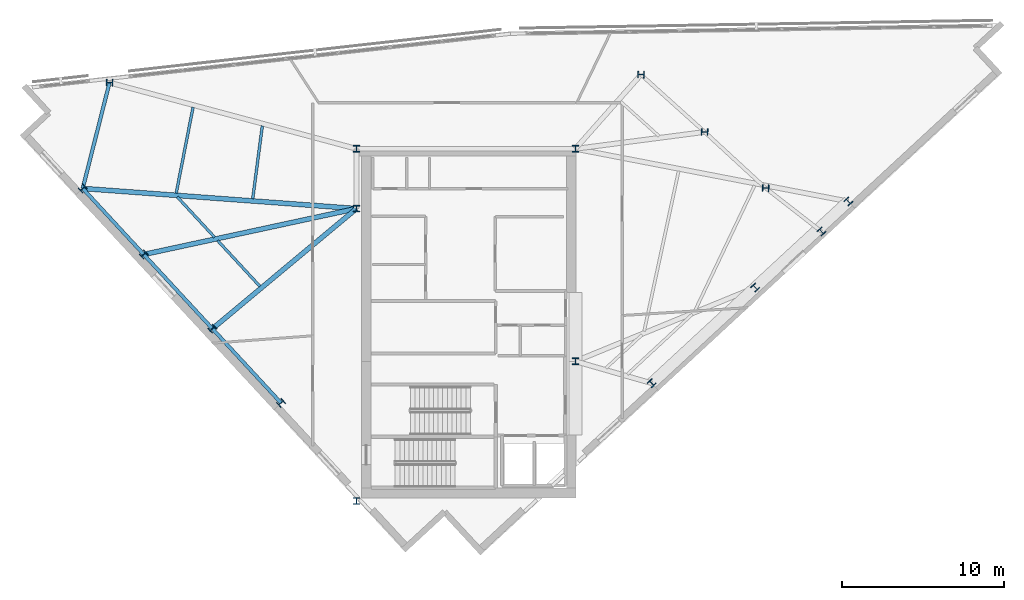
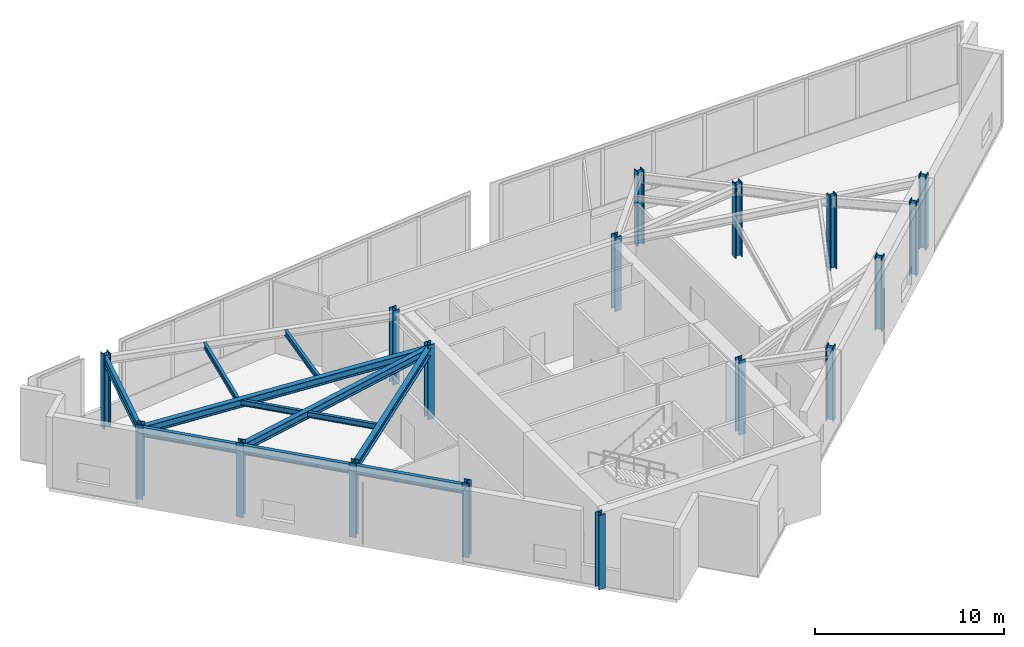
# One storey, part 1 of 12: 17 columns, 11 beams.
"""IFC4 building model written with IfcOpenShell, lengths in metres."""

from ifc_helpers import new_model, si_unit, direction, frame, origin, origin_2d, place, context, subcontext, project, spatial, i_section, extrude, material, material_profile, profile_set, type_object, element, save


model = new_model("IFC4")

# Units and contexts
model_context = context("Model", 3, precision=1e-05, world=origin(), true_north=direction((0.0, 1.0)))
body_context = subcontext(model_context, "Body", "Model", "MODEL_VIEW")
ifc_project = project(units=[si_unit("LENGTHUNIT", "METRE"), si_unit("AREAUNIT", "SQUARE_METRE"), si_unit("VOLUMEUNIT", "CUBIC_METRE"), si_unit("PLANEANGLEUNIT", "RADIAN"), si_unit("MASSUNIT", "GRAM", prefix="KILO")], contexts=[model_context])

# Site, building, storey
site_placement = place(None, origin())
site = spatial("IfcSite", under=ifc_project, at=site_placement, CompositionType="ELEMENT")
building_placement = place(site_placement, origin())
building = spatial("IfcBuilding", under=site, at=building_placement, Name="Narakoshi Arena Tower", CompositionType="ELEMENT")
storey_placement = place(building_placement, frame((0.0, 0.0, 302.97998046875)))
storey = spatial("IfcBuildingStorey", under=building, at=storey_placement, Name="L82", CompositionType="ELEMENT", Elevation=302.97998046875)

# Columns
ifc_material = material(Name="Structural steel S355J2", Category="steel")
ifc_material_profile_1 = material_profile(ifc_material, i_section(OverallWidth=0.406005859375, OverallDepth=0.416015625, WebThickness=0.02978515625, FlangeThickness=0.048095703125, FilletRadius=0.014892578125, at=origin_2d()), Name="HD400x382")
ifc_profile_set_1 = profile_set([ifc_material_profile_1], Name="Structural steel S355J2")
column_type = type_object("IfcColumnType", Name="COL-STL382", PredefinedType="COLUMN", material=ifc_profile_set_1)
for number, where, z_axis, x_axis, name in (
    (1, (72.0, 34.699951171875, 0.0), (0.0, 0.0, 1.0), (1.0, 0.0, 0.0), "L82 Core Structural Column CC1"),
    (2, (85.550048828125, 43.35009765625, 0.0), (0.0, 0.0, 1.0), (1.0, 0.0, 0.0), "L82 Core Structural Column CC3"),
    (3, (72.0, 52.800048828125, 0.0), (0.0, 0.0, 1.0), (1.0, 0.0, 0.0), "L82 Core Structural Column CC4"),
    (4, (72.0, 56.5, 0.0), (0.0, 0.0, 1.0), (1.0, 0.0, 0.0), "L82 Core Structural Column CC5"),
    (5, (85.550048828125, 56.5, 0.0), (0.0, 0.0, 1.0), (1.0, 0.0, 0.0), "L82 Core Structural Column CC6"),
    (6, (90.2734375, 41.992919921875, 0.0), (0.0, 0.0, 1.0), (0.734322509436, 0.678800745533, 0.0), "L82 Tower Perimeter Column TC01"),
    (7, (96.6787109375, 47.913818359375, 0.0), (0.0, 0.0, 1.0), (0.734322509436, 0.678800745533, 0.0), "L82 Tower Perimeter Column TC02"),
    (8, (102.443359375, 53.242431640625, 0.0), (0.0, 0.0, 1.0), (0.734322509436, 0.678800745533, 0.0), "L82 Tower Perimeter Column TC03"),
    (9, (100.78173828125, 51.379638671875, 0.0), (0.0, 0.0, 1.0), (0.734322509436, 0.678800745533, 0.0), "L82 Tower Perimeter Column TC04"),
    (10, (97.3291015625, 54.0654296875, 0.0), (0.0, 0.0, 1.0), (0.039259815759, 0.999229036241, 0.0), "L82 Tower Perimeter Column TC05"),
    (11, (93.55029296875, 57.543701171875, 0.0), (0.0, 0.0, 1.0), (0.039259815759, 0.999229036241, 0.0), "L82 Tower Perimeter Column TC06"),
    (12, (89.611328125, 61.09033203125, 0.0), (0.0, 0.0, 1.0), (0.039259815759, 0.999229036241, 0.0), "L82 Tower Perimeter Column TC07"),
    (13, (56.717041015625, 60.59814453125, 0.0), (0.0, 0.0, 1.0), (0.039259815759, 0.999229036241, 0.0), "L82 Tower Perimeter Column TC10"),
    (14, (55.05810546875, 54.04638671875, 0.0), (0.0, 0.0, 1.0), (-0.678800745533, 0.734322509436, 0.0), "L82 Tower Perimeter Column TC13"),
    (15, (58.8349609375, 49.960693359375, 0.0), (0.0, 0.0, 1.0), (-0.678800745533, 0.734322509436, 0.0), "L82 Tower Perimeter Column TC14"),
    (16, (63.083984375, 45.3642578125, 0.0), (0.0, 0.0, 1.0), (-0.678800745533, 0.734322509436, 0.0), "L82 Tower Perimeter Column TC15"),
    (17, (67.332763671875, 40.767578125, 0.0), (0.0, 0.0, 1.0), (-0.678800745533, 0.734322509436, 0.0), "L82 Tower Perimeter Column TC16"),
):
    element("IfcColumn", number, at=place(storey_placement, frame(where, z_axis=z_axis, x_axis=x_axis)), inside=storey, type_object=column_type, Name=name, PredefinedType="COLUMN", context=body_context, shape_type="SweptSolid", body=[
        extrude(i_section(OverallWidth=0.406005859375, OverallDepth=0.416015625, WebThickness=0.02978515625, FlangeThickness=0.048095703125, FilletRadius=0.014892578125, at=origin_2d()), origin(), (0.0, 0.0, 1.0), 4.800048828125),
    ])

# Beams
ifc_material_profile_2 = material_profile(ifc_material, i_section(OverallWidth=0.219970703125, OverallDepth=0.60009765625, WebThickness=0.011962890625, FlangeThickness=0.01904296875, FilletRadius=0.02392578125, at=origin_2d()), Name="IPE600")
ifc_profile_set_2 = profile_set([ifc_material_profile_2], Name="Structural steel S355J2")
beam_type_1 = type_object("IfcBeamType", Name="BM-EDGE-600", PredefinedType="BEAM", material=ifc_profile_set_2)
beam_1_placement = place(storey_placement, frame((56.717041015625, 60.59814453125, 4.300048828125), z_axis=(-0.245458392699, -0.969407126781, 0.0), x_axis=(0.969407126781, -0.245458392699, 0.0)))
element("IfcBeam", 18, at=beam_1_placement, inside=storey, type_object=beam_type_1, Name="L82 Perimeter Edge Girder 08", PredefinedType="BEAM", context=body_context, shape_type="SweptSolid", body=[
    extrude(i_section(OverallWidth=0.219970703125, OverallDepth=0.60009765625, WebThickness=0.011962890625, FlangeThickness=0.01904296875, FilletRadius=0.02392578125, at=origin_2d()), origin(), (0.0, 0.0, 1.0), 6.758544921875),
])
beam_2_placement = place(storey_placement, frame((55.05810546875, 54.04638671875, 4.300048828125), z_axis=(0.678808438166, -0.734315398365, 0.0), x_axis=(0.734315398365, 0.678808438166, 0.0)))
element("IfcBeam", 19, at=beam_2_placement, inside=storey, type_object=beam_type_1, Name="L82 Perimeter Edge Girder 09", PredefinedType="BEAM", context=body_context, shape_type="SweptSolid", body=[
    extrude(i_section(OverallWidth=0.219970703125, OverallDepth=0.60009765625, WebThickness=0.011962890625, FlangeThickness=0.01904296875, FilletRadius=0.02392578125, at=origin_2d()), origin(), (0.0, 0.0, 1.0), 5.56396484375),
])
for number, where, z_axis, x_axis, name in (
    (20, (58.8349609375, 49.960693359375, 4.300048828125), (0.678811265787, -0.734312784473, 0.0), (0.734312784473, 0.678811265787, 0.0), "L82 Perimeter Edge Girder 10"),
    (21, (63.083984375, 45.3642578125, 4.300048828125), (0.678770792221, -0.734350196859, 0.0), (0.734350196859, 0.678770792221, 0.0), "L82 Perimeter Edge Girder 11"),
):
    element("IfcBeam", number, at=place(storey_placement, frame(where, z_axis=z_axis, x_axis=x_axis)), inside=storey, type_object=beam_type_1, Name=name, PredefinedType="BEAM", context=body_context, shape_type="SweptSolid", body=[
        extrude(i_section(OverallWidth=0.219970703125, OverallDepth=0.60009765625, WebThickness=0.011962890625, FlangeThickness=0.01904296875, FilletRadius=0.02392578125, at=origin_2d()), origin(), (0.0, 0.0, 1.0), 6.259521484375),
    ])
ifc_material_profile_3 = material_profile(ifc_material, i_section(OverallWidth=0.300048828125, OverallDepth=0.5, WebThickness=0.014404296875, FlangeThickness=0.028076171875, FilletRadius=0.027099609375, at=origin_2d()), Name="HE500B")
ifc_profile_set_3 = profile_set([ifc_material_profile_3], Name="Structural steel S355J2")
beam_type_2 = type_object("IfcBeamType", Name="BM-PRI-500", PredefinedType="BEAM", material=ifc_profile_set_3)
beam_3_placement = place(storey_placement, frame((72.0, 52.800048828125, 4.35009765625), z_axis=(-0.997304997013, 0.073367178859, 0.0), x_axis=(-0.073367178859, -0.997304997013, 0.0)))
element("IfcBeam", 22, at=beam_3_placement, inside=storey, type_object=beam_type_2, Name="L82 Radial Primary Floor Girder 09", PredefinedType="BEAM", context=body_context, shape_type="SweptSolid", body=[
    extrude(i_section(OverallWidth=0.300048828125, OverallDepth=0.5, WebThickness=0.014404296875, FlangeThickness=0.028076171875, FilletRadius=0.027099609375, at=origin_2d()), origin(), (0.0, 0.0, 1.0), 16.98779296875),
])
beam_4_placement = place(storey_placement, frame((72.0, 52.800048828125, 4.35009765625), z_axis=(-0.977523534755, -0.210826324256, 0.0), x_axis=(0.210826324256, -0.977523534755, 0.0)))
element("IfcBeam", 23, at=beam_4_placement, inside=storey, type_object=beam_type_2, Name="L82 Radial Primary Floor Girder 10", PredefinedType="BEAM", context=body_context, shape_type="SweptSolid", body=[
    extrude(i_section(OverallWidth=0.300048828125, OverallDepth=0.5, WebThickness=0.014404296875, FlangeThickness=0.028076171875, FilletRadius=0.027099609375, at=origin_2d()), origin(), (0.0, 0.0, 1.0), 13.4677734375),
])
beam_5_placement = place(storey_placement, frame((72.0, 52.800048828125, 4.35009765625), z_axis=(-0.767976460513, -0.640478068397, 0.0), x_axis=(0.640478068397, -0.767976460513, 0.0)))
element("IfcBeam", 24, at=beam_5_placement, inside=storey, type_object=beam_type_2, Name="L82 Radial Primary Floor Girder 11", PredefinedType="BEAM", context=body_context, shape_type="SweptSolid", body=[
    extrude(i_section(OverallWidth=0.300048828125, OverallDepth=0.5, WebThickness=0.014404296875, FlangeThickness=0.028076171875, FilletRadius=0.027099609375, at=origin_2d()), origin(), (0.0, 0.0, 1.0), 11.60986328125),
])
ifc_material_profile_4 = material_profile(ifc_material, i_section(OverallWidth=0.169921875, OverallDepth=0.360107421875, WebThickness=0.008056640625, FlangeThickness=0.0126953125, FilletRadius=0.01806640625, at=origin_2d()), Name="IPE360")
ifc_profile_set_4 = profile_set([ifc_material_profile_4], Name="Structural steel S355J2")
beam_type_3 = type_object("IfcBeamType", Name="BM-SEC-360", PredefinedType="JOIST", material=ifc_profile_set_4)
beam_6_placement = place(storey_placement, frame((66.1748046875, 57.92333984375, 4.419921875), z_axis=(-0.130622278615, -0.991432206623, 0.0), x_axis=(0.991432206623, -0.130622278615, 0.0)))
element("IfcBeam", 25, at=beam_6_placement, inside=storey, type_object=beam_type_3, Name="L82 Composite Secondary Floor Joist 06", PredefinedType="JOIST", context=body_context, shape_type="SweptSolid", body=[
    extrude(i_section(OverallWidth=0.169921875, OverallDepth=0.360107421875, WebThickness=0.008056640625, FlangeThickness=0.0126953125, FilletRadius=0.01806640625, at=origin_2d()), origin(), (0.0, 0.0, 1.0), 4.554931640625),
])
beam_7_placement = place(storey_placement, frame((61.88720703125, 59.072265625, 4.419921875), z_axis=(-0.192432326114, -0.98131024649, 0.0), x_axis=(0.98131024649, -0.192432326114, 0.0)))
element("IfcBeam", 26, at=beam_7_placement, inside=storey, type_object=beam_type_3, Name="L82 Composite Secondary Floor Joist 07", PredefinedType="JOIST", context=body_context, shape_type="SweptSolid", body=[
    extrude(i_section(OverallWidth=0.169921875, OverallDepth=0.360107421875, WebThickness=0.008056640625, FlangeThickness=0.0126953125, FilletRadius=0.01806640625, at=origin_2d()), origin(), (0.0, 0.0, 1.0), 5.418701171875),
])
beam_8_placement = place(storey_placement, frame((60.91015625, 53.5234375, 4.419921875), z_axis=(0.678789604895, -0.734332807579, 0.0), x_axis=(0.734332807579, 0.678789604895, 0.0)))
element("IfcBeam", 27, at=beam_8_placement, inside=storey, type_object=beam_type_3, Name="L82 Composite Secondary Floor Joist 08", PredefinedType="JOIST", context=body_context, shape_type="SweptSolid", body=[
    extrude(i_section(OverallWidth=0.169921875, OverallDepth=0.360107421875, WebThickness=0.008056640625, FlangeThickness=0.0126953125, FilletRadius=0.01806640625, at=origin_2d()), origin(), (0.0, 0.0, 1.0), 3.402099609375),
])
beam_9_placement = place(storey_placement, frame((63.402587890625, 50.826904296875, 4.419921875), z_axis=(0.67880513783, -0.734318449214, 0.0), x_axis=(0.734318449214, 0.67880513783, 0.0)))
element("IfcBeam", 28, at=beam_9_placement, inside=storey, type_object=beam_type_3, Name="L82 Composite Secondary Floor Joist 09", PredefinedType="JOIST", context=body_context, shape_type="SweptSolid", body=[
    extrude(i_section(OverallWidth=0.169921875, OverallDepth=0.360107421875, WebThickness=0.008056640625, FlangeThickness=0.0126953125, FilletRadius=0.01806640625, at=origin_2d()), origin(), (0.0, 0.0, 1.0), 3.861328125),
])

save(model, "model.ifc")
